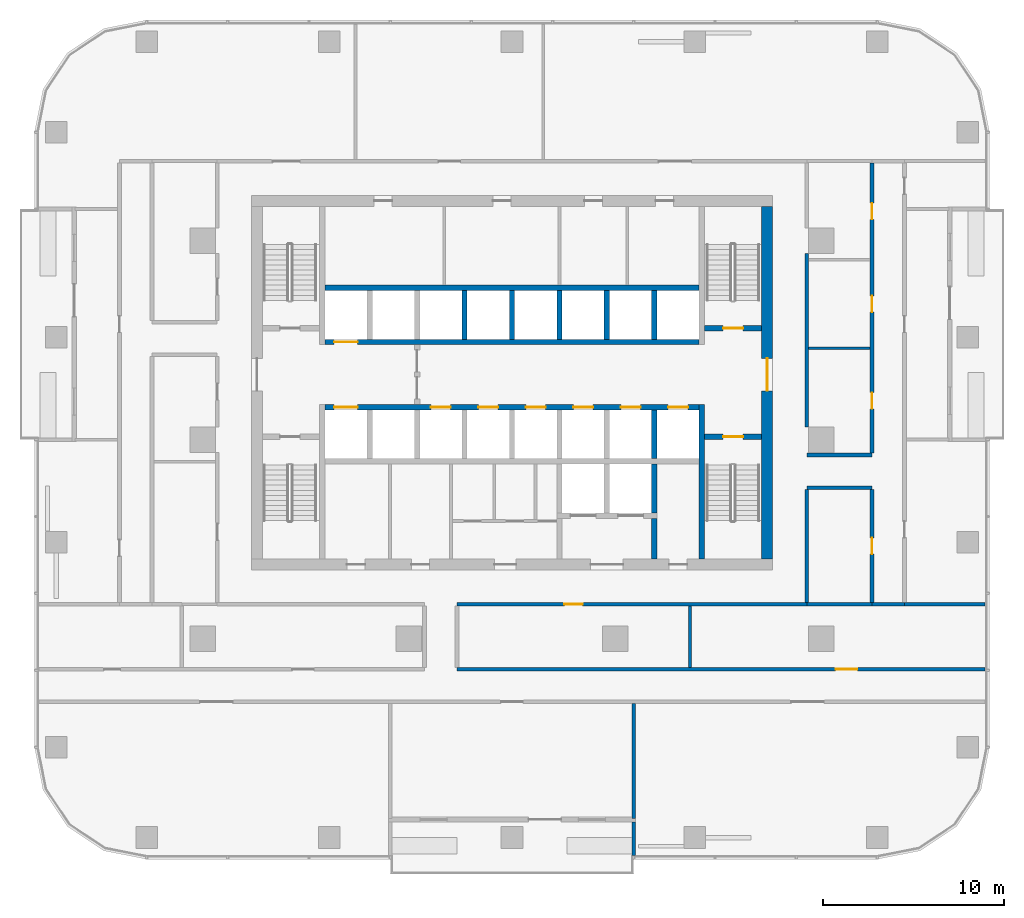
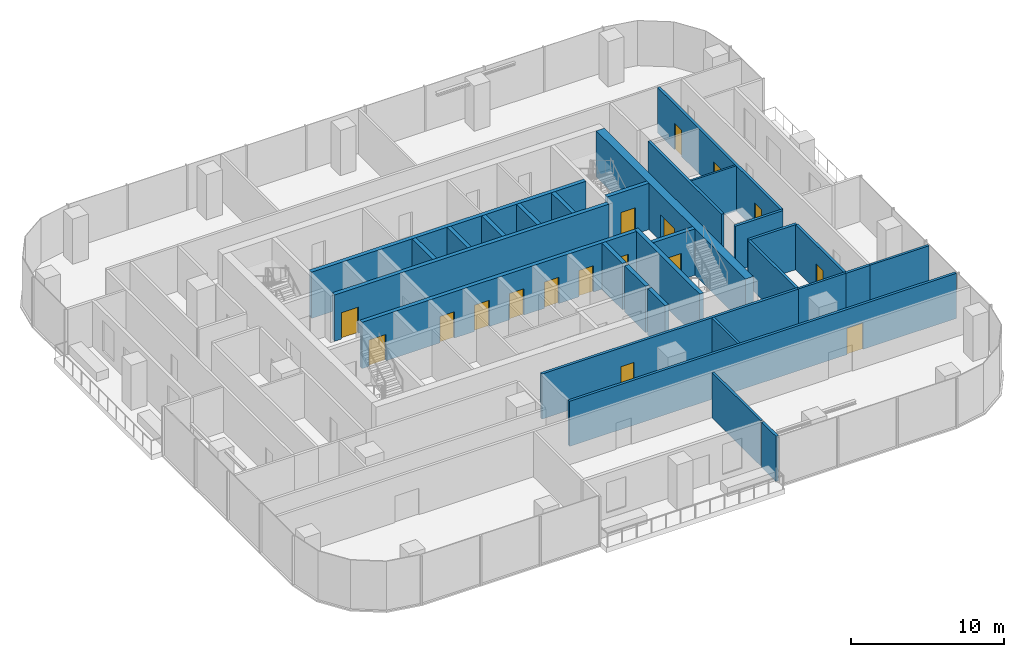
# One storey, part 9 of 15: 30 walls, 17 doors, 17 openings.
"""IFC4 building model written with IfcOpenShell, lengths in metres."""

from ifc_helpers import new_model, si_unit, direction, frame, frame_2d, origin, place, context, subcontext, project, spatial, rectangle, extrude, material, layer, layer_set, type_object, element, fill, save


model = new_model("IFC4")

# Units and contexts
model_context = context("Model", 3, precision=1e-05, world=origin(), true_north=direction((0.0, 1.0)))
body_context = subcontext(model_context, "Body", "Model", "MODEL_VIEW")
ifc_project = project(units=[si_unit("LENGTHUNIT", "METRE"), si_unit("AREAUNIT", "SQUARE_METRE"), si_unit("VOLUMEUNIT", "CUBIC_METRE"), si_unit("PLANEANGLEUNIT", "RADIAN"), si_unit("MASSUNIT", "GRAM", prefix="KILO")], contexts=[model_context])

# Site, building, storey
site_placement = place(None, origin())
site = spatial("IfcSite", under=ifc_project, at=site_placement, CompositionType="ELEMENT")
building_placement = place(site_placement, origin())
building = spatial("IfcBuilding", under=site, at=building_placement, Name="Mopane Tessera Tower", CompositionType="ELEMENT")
storey_placement = place(building_placement, frame((0.0, 0.0, 177.0)))
storey = spatial("IfcBuildingStorey", under=building, at=storey_placement, Name="L36", CompositionType="ELEMENT", Elevation=177.0)

# Wall, opening, door
ifc_material_1 = material(Name="Concrete C70/85", Category="concrete")
ifc_layer_1 = layer(ifc_material_1, 0.60009765625)
ifc_layer_set_1 = layer_set([ifc_layer_1], Name="Concrete C70/85")
wall_type_1 = type_object("IfcWallType", Name="Core shear wall 600 mm", PredefinedType="SHEAR", material=ifc_layer_set_1)
wall_1_placement = place(storey_placement, frame((14.10009765625, -6.60009765625, 0.0), z_axis=(0.0, 0.0, 1.0), x_axis=(0.0, 1.0, 0.0)))
wall_1 = element("IfcWall", 1, at=wall_1_placement, inside=storey, type_object=wall_type_1, Name="L36 Core wall east", PredefinedType="SHEAR", context=body_context, shape_type="SweptSolid", body=[
    extrude(rectangle(XDim=19.5, YDim=0.60009765625, at=frame_2d((9.75, 0.0))), origin(), (0.0, 0.0, 1.0), 3.699951171875),
])
opening_1_placement = place(wall_1_placement, frame((9.300048828125, 0.0, 0.0)))
opening_1 = element("IfcOpeningElement", 2, at=opening_1_placement, cuts=wall_1, Name="Opening SD2", PredefinedType="OPENING", context=body_context, shape_type="SweptSolid", body=[
    extrude(rectangle(XDim=1.800048828125, YDim=2.10009765625, at=frame_2d((0.89990234375, 1.050048828125))), frame((0.0, 0.31201171875, 0.0), z_axis=(0.0, -1.0, 0.0), x_axis=(1.0, 0.0, 0.0)), (0.0, 0.0, 1.0), 0.6240234375),
])
ifc_material_2 = material(Name="Steel fire door", Category="steel")
door_type_1 = type_object("IfcDoorType", Name="Core entrance double door 1800 x 2100", OperationType="DOUBLE_DOOR_SINGLE_SWING", PredefinedType="DOOR", material=ifc_material_2)
door_1_placement = place(opening_1_placement, origin())
door_1 = element("IfcDoor", 3, at=door_1_placement, inside=storey, type_object=door_type_1, Name="L36 Core entrance door east", OperationType="DOUBLE_DOOR_SINGLE_SWING", OverallHeight=2.10009765625, OverallWidth=1.800048828125, PredefinedType="DOOR", context=body_context, shape_type="SweptSolid", body=[
    extrude(rectangle(XDim=1.800048828125, YDim=2.10009765625, at=frame_2d((0.89990234375, 1.050048828125))), frame((0.0, 0.02490234375, 0.0), z_axis=(0.0, -1.0, 0.0), x_axis=(1.0, 0.0, 0.0)), (0.0, 0.0, 1.0), 0.050048828125),
])
fill(opening_1, door_1)

# Walls
ifc_material_3 = material(Name="Concrete C60/75", Category="concrete")
ifc_layer_2 = layer(ifc_material_3, 0.300048828125)
ifc_layer_set_2 = layer_set([ifc_layer_2], Name="Concrete C60/75")
wall_type_2 = type_object("IfcWallType", Name="Core spine wall 300 mm", PredefinedType="SHEAR", material=ifc_layer_set_2)
wall_2_placement = place(storey_placement, frame((10.5, -6.60009765625, 0.0), z_axis=(0.0, 0.0, 1.0), x_axis=(0.0, 1.0, 0.0)))
element("IfcWall", 4, at=wall_2_placement, inside=storey, type_object=wall_type_2, Name="L36 Core spine wall", PredefinedType="SHEAR", context=body_context, shape_type="SweptSolid", body=[
    extrude(rectangle(XDim=8.550048828125, YDim=0.300048828125, at=frame_2d((4.27490234375, 0.0))), origin(), (0.0, 0.0, 1.0), 3.699951171875),
])
ifc_material_4 = material(Name="Gypsum board on staggered steel studs, double layer each face, acoustic mineral wool infill", Category="steel")
ifc_layer_3 = layer(ifc_material_4, 0.175048828125)
ifc_layer_set_3 = layer_set([ifc_layer_3], Name="Gypsum board on staggered steel studs, double layer each face, acoustic mineral wool infill")
wall_type_3 = type_object("IfcWallType", Name="Gypsum board acoustic partition 175, rated EI 60", PredefinedType="PARTITIONING", material=ifc_layer_set_3)
wall_3_placement = place(storey_placement, frame((16.300048828125, -9.10009765625, 0.0), z_axis=(0.0, 0.0, 1.0), x_axis=(1.0, 0.0, 0.0)))
element("IfcWall", 5, at=wall_3_placement, inside=storey, type_object=wall_type_3, Name="Partition L36:006", PredefinedType="PARTITIONING", context=body_context, shape_type="SweptSolid", body=[
    extrude(rectangle(XDim=3.599853515625, YDim=0.175048828125, at=frame_2d((1.7998046875, 0.0))), origin(), (0.0, 0.0, 1.0), 3.60009765625),
])
wall_4_placement = place(storey_placement, frame((21.699951171875, -9.10009765625, 0.0), z_axis=(0.0, 0.0, 1.0), x_axis=(1.0, 0.0, 0.0)))
element("IfcWall", 6, at=wall_4_placement, inside=storey, type_object=wall_type_3, Name="Partition L36:007", PredefinedType="PARTITIONING", context=body_context, shape_type="SweptSolid", body=[
    extrude(rectangle(XDim=4.449951171875, YDim=0.175048828125, at=frame_2d((2.22509765625, 0.0))), origin(), (0.0, 0.0, 1.0), 3.60009765625),
])
wall_5_placement = place(storey_placement, frame((6.735107421875, -20.949951171875, 0.0), z_axis=(0.0, 0.0, 1.0), x_axis=(0.0, 1.0, 0.0)))
element("IfcWall", 7, at=wall_5_placement, inside=storey, type_object=wall_type_3, Name="Partition L36:042", PredefinedType="PARTITIONING", context=body_context, shape_type="SweptSolid", body=[
    extrude(rectangle(XDim=6.349853515625, YDim=0.175048828125, at=frame_2d((3.1748046875, 0.0))), origin(), (0.0, 0.0, 1.0), 3.60009765625),
])
wall_6_placement = place(storey_placement, frame((9.844970703125, -12.60009765625, 0.0), z_axis=(0.0, 0.0, 1.0), x_axis=(0.0, 1.0, 0.0)))
element("IfcWall", 8, at=wall_6_placement, inside=storey, type_object=wall_type_3, Name="Partition L36:043", PredefinedType="PARTITIONING", context=body_context, shape_type="SweptSolid", body=[
    extrude(rectangle(XDim=3.400146484375, YDim=0.175048828125, at=frame_2d((1.7001953125, 0.0))), origin(), (0.0, 0.0, 1.0), 3.60009765625),
])

# Wall, opening, door
ifc_material_5 = material(Name="Gypsum board on steel studs, two layers each face, mineral wool infill", Category="steel")
ifc_layer_4 = layer(ifc_material_5, 0.199951171875)
ifc_layer_set_4 = layer_set([ifc_layer_4], Name="Gypsum board on steel studs, two layers each face, mineral wool infill")
wall_type_4 = type_object("IfcWallType", Name="Gypsum board corridor wall 200, rated EI 60", PredefinedType="PARTITIONING", material=ifc_layer_set_4)
wall_7_placement = place(storey_placement, frame((-3.0400390625, -12.699951171875, 0.0), z_axis=(0.0, 0.0, 1.0), x_axis=(1.0, 0.0, 0.0)))
wall_7 = element("IfcWall", 9, at=wall_7_placement, inside=storey, type_object=wall_type_4, Name="Partition L36:002", PredefinedType="PARTITIONING", context=body_context, shape_type="SweptSolid", body=[
    extrude(rectangle(XDim=29.18994140625, YDim=0.199951171875, at=frame_2d((14.594970703125, 0.0))), origin(), (0.0, 0.0, 1.0), 3.60009765625),
])
opening_2_placement = place(wall_7_placement, frame((20.9375, 0.0, 0.0)))
opening_2 = element("IfcOpeningElement", 10, at=opening_2_placement, cuts=wall_7, Name="Opening L36-05", PredefinedType="OPENING", context=body_context, shape_type="SweptSolid", body=[
    extrude(rectangle(XDim=1.199951171875, YDim=2.10009765625, at=frame_2d((0.60009765625, 1.050048828125))), frame((0.0, 0.112060546875, 0.0), z_axis=(0.0, -1.0, 0.0), x_axis=(1.0, 0.0, 0.0)), (0.0, 0.0, 1.0), 0.223876953125),
])
ifc_material_6 = material(Name="Timber veneered steel-framed fire door", Category="steel")
door_type_2 = type_object("IfcDoorType", Name="Fire door FD60 1200 x 2100", OperationType="SINGLE_SWING_LEFT", PredefinedType="DOOR", material=ifc_material_6)
door_2_placement = place(opening_2_placement, origin())
door_2 = element("IfcDoor", 11, at=door_2_placement, inside=storey, type_object=door_type_2, Name="Door L36-05", ObjectType="D15A", OperationType="SINGLE_SWING_RIGHT", OverallHeight=2.10009765625, OverallWidth=1.199951171875, PredefinedType="DOOR", context=body_context, shape_type="SweptSolid", body=[
    extrude(rectangle(XDim=1.199951171875, YDim=2.10009765625, at=frame_2d((0.60009765625, 1.050048828125))), frame((0.0, 0.02490234375, 0.0), z_axis=(0.0, -1.0, 0.0), x_axis=(1.0, 0.0, 0.0)), (0.0, 0.0, 1.0), 0.050048828125),
])
fill(opening_2, door_2)

wall_8_placement = place(storey_placement, frame((-3.0400390625, -9.10009765625, 0.0), z_axis=(0.0, 0.0, 1.0), x_axis=(1.0, 0.0, 0.0)))
wall_8 = element("IfcWall", 12, at=wall_8_placement, inside=storey, type_object=wall_type_4, Name="Partition L36:010", PredefinedType="PARTITIONING", context=body_context, shape_type="SweptSolid", body=[
    extrude(rectangle(XDim=19.340087890625, YDim=0.199951171875, at=frame_2d((9.669921875, 0.0))), origin(), (0.0, 0.0, 1.0), 3.60009765625),
])
opening_3_placement = place(wall_8_placement, frame((5.9423828125, 0.0, 0.0)))
opening_3 = element("IfcOpeningElement", 13, at=opening_3_placement, cuts=wall_8, Name="Opening L36-12", PredefinedType="OPENING", context=body_context, shape_type="SweptSolid", body=[
    extrude(rectangle(XDim=1.0, YDim=2.10009765625, at=frame_2d((0.5, 1.050048828125))), frame((0.0, 0.112060546875, 0.0), z_axis=(0.0, -1.0, 0.0), x_axis=(1.0, 0.0, 0.0)), (0.0, 0.0, 1.0), 0.223876953125),
])
ifc_material_7 = material(Name="Timber veneered steel-framed fire door", Category="steel")
door_type_3 = type_object("IfcDoorType", Name="Fire door FD60 1000 x 2100", OperationType="SINGLE_SWING_LEFT", PredefinedType="DOOR", material=ifc_material_7)
door_3_placement = place(opening_3_placement, origin())
door_3 = element("IfcDoor", 14, at=door_3_placement, inside=storey, type_object=door_type_3, Name="Door L36-12", ObjectType="D12A", OperationType="SINGLE_SWING_RIGHT", OverallHeight=2.10009765625, OverallWidth=1.0, PredefinedType="DOOR", context=body_context, shape_type="SweptSolid", body=[
    extrude(rectangle(XDim=1.0, YDim=2.10009765625, at=frame_2d((0.5, 1.050048828125))), frame((0.0, 0.02490234375, 0.0), z_axis=(0.0, -1.0, 0.0), x_axis=(1.0, 0.0, 0.0)), (0.0, 0.0, 1.0), 0.050048828125),
])
fill(opening_3, door_3)

# Walls
wall_9_placement = place(storey_placement, frame((19.89990234375, -9.10009765625, 0.0), z_axis=(0.0, 0.0, 1.0), x_axis=(1.0, 0.0, 0.0)))
element("IfcWall", 15, at=wall_9_placement, inside=storey, type_object=wall_type_4, Name="Partition L36:011", PredefinedType="PARTITIONING", context=body_context, shape_type="SweptSolid", body=[
    extrude(rectangle(XDim=1.800048828125, YDim=0.199951171875, at=frame_2d((0.89990234375, 0.0))), origin(), (0.0, 0.0, 1.0), 3.60009765625),
])
for number, where, z_axis, x_axis, name in (
    (16, (16.300048828125, -2.64990234375, 0.0), (0.0, 0.0, 1.0), (1.0, 0.0, 0.0), "Partition L36:012"),
    (17, (16.300048828125, -0.85009765625, 0.0), (0.0, 0.0, 1.0), (1.0, 0.0, 0.0), "Partition L36:014"),
):
    element("IfcWall", number, at=place(storey_placement, frame(where, z_axis=z_axis, x_axis=x_axis)), inside=storey, type_object=wall_type_4, Name=name, PredefinedType="PARTITIONING", context=body_context, shape_type="SweptSolid", body=[
        extrude(rectangle(XDim=3.599853515625, YDim=0.199951171875, at=frame_2d((1.7998046875, 0.0))), origin(), (0.0, 0.0, 1.0), 3.60009765625),
    ])
wall_10_placement = place(storey_placement, frame((16.300048828125, -9.0, 0.0), z_axis=(0.0, 0.0, 1.0), x_axis=(0.0, 1.0, 0.0)))
element("IfcWall", 18, at=wall_10_placement, inside=storey, type_object=wall_type_4, Name="Partition L36:044", PredefinedType="PARTITIONING", context=body_context, shape_type="SweptSolid", body=[
    extrude(rectangle(XDim=6.25, YDim=0.199951171875, at=frame_2d((3.125, 0.0))), origin(), (0.0, 0.0, 1.0), 3.60009765625),
])
wall_11_placement = place(storey_placement, frame((16.300048828125, 0.699951171875, 0.0), z_axis=(0.0, 0.0, 1.0), x_axis=(0.0, 1.0, 0.0)))
element("IfcWall", 19, at=wall_11_placement, inside=storey, type_object=wall_type_4, Name="Partition L36:045", PredefinedType="PARTITIONING", context=body_context, shape_type="SweptSolid", body=[
    extrude(rectangle(XDim=9.60009765625, YDim=0.199951171875, at=frame_2d((4.800048828125, 0.0))), origin(), (0.0, 0.0, 1.0), 3.60009765625),
])

# Wall, opening, door
wall_12_placement = place(storey_placement, frame((19.89990234375, -9.0, 0.0), z_axis=(0.0, 0.0, 1.0), x_axis=(0.0, 1.0, 0.0)))
wall_12 = element("IfcWall", 20, at=wall_12_placement, inside=storey, type_object=wall_type_4, Name="Partition L36:047", PredefinedType="PARTITIONING", context=body_context, shape_type="SweptSolid", body=[
    extrude(rectangle(XDim=6.25, YDim=0.199951171875, at=frame_2d((3.125, 0.0))), origin(), (0.0, 0.0, 1.0), 3.60009765625),
])
opening_4_placement = place(wall_12_placement, frame((2.675048828125, 0.0, 0.0)))
opening_4 = element("IfcOpeningElement", 21, at=opening_4_placement, cuts=wall_12, Name="Opening L36-17", PredefinedType="OPENING", context=body_context, shape_type="SweptSolid", body=[
    extrude(rectangle(XDim=0.89990234375, YDim=2.10009765625, at=frame_2d((0.449951171875, 1.050048828125))), frame((0.0, 0.112060546875, 0.0), z_axis=(0.0, -1.0, 0.0), x_axis=(1.0, 0.0, 0.0)), (0.0, 0.0, 1.0), 0.223876953125),
])
ifc_material_8 = material(Name="Timber veneered steel-framed fire door", Category="steel")
door_type_4 = type_object("IfcDoorType", Name="Fire door FD60 900 x 2100", OperationType="SINGLE_SWING_LEFT", PredefinedType="DOOR", material=ifc_material_8)
door_4_placement = place(opening_4_placement, origin())
door_4 = element("IfcDoor", 22, at=door_4_placement, inside=storey, type_object=door_type_4, Name="Door L36-17", ObjectType="D10A", OperationType="SINGLE_SWING_RIGHT", OverallHeight=2.10009765625, OverallWidth=0.89990234375, PredefinedType="DOOR", context=body_context, shape_type="SweptSolid", body=[
    extrude(rectangle(XDim=0.89990234375, YDim=2.10009765625, at=frame_2d((0.449951171875, 1.050048828125))), frame((0.0, 0.02490234375, 0.0), z_axis=(0.0, -1.0, 0.0), x_axis=(1.0, 0.0, 0.0)), (0.0, 0.0, 1.0), 0.050048828125),
])
fill(opening_4, door_4)

# Wall, openings, doors
wall_13_placement = place(storey_placement, frame((19.89990234375, -0.75, 0.0), z_axis=(0.0, 0.0, 1.0), x_axis=(0.0, 1.0, 0.0)))
wall_13 = element("IfcWall", 23, at=wall_13_placement, inside=storey, type_object=wall_type_4, Name="Partition L36:048", PredefinedType="PARTITIONING", context=body_context, shape_type="SweptSolid", body=[
    extrude(rectangle(XDim=16.050048828125, YDim=0.199951171875, at=frame_2d((8.02490234375, 0.0))), origin(), (0.0, 0.0, 1.0), 3.60009765625),
])
opening_5_placement = place(wall_13_placement, frame((2.455078125, 0.0, 0.0)))
opening_5 = element("IfcOpeningElement", 24, at=opening_5_placement, cuts=wall_13, Name="Opening L36-06", PredefinedType="OPENING", context=body_context, shape_type="SweptSolid", body=[
    extrude(rectangle(XDim=0.89990234375, YDim=2.10009765625, at=frame_2d((0.449951171875, 1.050048828125))), frame((0.0, 0.112060546875, 0.0), z_axis=(0.0, -1.0, 0.0), x_axis=(1.0, 0.0, 0.0)), (0.0, 0.0, 1.0), 0.223876953125),
])
opening_6_placement = place(wall_13_placement, frame((7.802490234375, 0.0, 0.0)))
opening_6 = element("IfcOpeningElement", 25, at=opening_6_placement, cuts=wall_13, Name="Opening L36-11", PredefinedType="OPENING", context=body_context, shape_type="SweptSolid", body=[
    extrude(rectangle(XDim=0.89990234375, YDim=2.10009765625, at=frame_2d((0.449951171875, 1.050048828125))), frame((0.0, 0.112060546875, 0.0), z_axis=(0.0, -1.0, 0.0), x_axis=(1.0, 0.0, 0.0)), (0.0, 0.0, 1.0), 0.223876953125),
])
opening_7_placement = place(wall_13_placement, frame((12.922607421875, 0.0, 0.0)))
opening_7 = element("IfcOpeningElement", 26, at=opening_7_placement, cuts=wall_13, Name="Opening L36-18", PredefinedType="OPENING", context=body_context, shape_type="SweptSolid", body=[
    extrude(rectangle(XDim=0.89990234375, YDim=2.10009765625, at=frame_2d((0.449951171875, 1.050048828125))), frame((0.0, 0.112060546875, 0.0), z_axis=(0.0, -1.0, 0.0), x_axis=(1.0, 0.0, 0.0)), (0.0, 0.0, 1.0), 0.223876953125),
])
door_5_placement = place(opening_5_placement, origin())
door_5 = element("IfcDoor", 27, at=door_5_placement, inside=storey, type_object=door_type_4, Name="Door L36-06", ObjectType="D10A", OperationType="SINGLE_SWING_LEFT", OverallHeight=2.10009765625, OverallWidth=0.89990234375, PredefinedType="DOOR", context=body_context, shape_type="SweptSolid", body=[
    extrude(rectangle(XDim=0.89990234375, YDim=2.10009765625, at=frame_2d((0.449951171875, 1.050048828125))), frame((0.0, 0.02490234375, 0.0), z_axis=(0.0, -1.0, 0.0), x_axis=(1.0, 0.0, 0.0)), (0.0, 0.0, 1.0), 0.050048828125),
])
fill(opening_5, door_5)
door_6_placement = place(opening_6_placement, origin())
door_6 = element("IfcDoor", 28, at=door_6_placement, inside=storey, type_object=door_type_4, Name="Door L36-11", ObjectType="D10A", OperationType="SINGLE_SWING_RIGHT", OverallHeight=2.10009765625, OverallWidth=0.89990234375, PredefinedType="DOOR", context=body_context, shape_type="SweptSolid", body=[
    extrude(rectangle(XDim=0.89990234375, YDim=2.10009765625, at=frame_2d((0.449951171875, 1.050048828125))), frame((0.0, 0.02490234375, 0.0), z_axis=(0.0, -1.0, 0.0), x_axis=(1.0, 0.0, 0.0)), (0.0, 0.0, 1.0), 0.050048828125),
])
fill(opening_6, door_6)
door_7_placement = place(opening_7_placement, origin())
door_7 = element("IfcDoor", 29, at=door_7_placement, inside=storey, type_object=door_type_4, Name="Door L36-18", ObjectType="D10A", OperationType="SINGLE_SWING_LEFT", OverallHeight=2.10009765625, OverallWidth=0.89990234375, PredefinedType="DOOR", context=body_context, shape_type="SweptSolid", body=[
    extrude(rectangle(XDim=0.89990234375, YDim=2.10009765625, at=frame_2d((0.449951171875, 1.050048828125))), frame((0.0, 0.02490234375, 0.0), z_axis=(0.0, -1.0, 0.0), x_axis=(1.0, 0.0, 0.0)), (0.0, 0.0, 1.0), 0.050048828125),
])
fill(opening_7, door_7)

# Wall
ifc_material_9 = material(Name="Gypsum board on steel studs, mineral wool infill", Category="steel")
ifc_layer_5 = layer(ifc_material_9, 0.14990234375)
ifc_layer_set_5 = layer_set([ifc_layer_5], Name="Gypsum board on steel studs, mineral wool infill")
wall_type_5 = type_object("IfcWallType", Name="Gypsum board partition 150, rated EI 60", PredefinedType="PARTITIONING", material=ifc_layer_set_5)
wall_14_placement = place(storey_placement, frame((16.39990234375, 5.06005859375, 0.0), z_axis=(0.0, 0.0, 1.0), x_axis=(1.0, 0.0, 0.0)))
element("IfcWall", 30, at=wall_14_placement, inside=storey, type_object=wall_type_5, Name="Partition L36:018", PredefinedType="PARTITIONING", context=body_context, shape_type="SweptSolid", body=[
    extrude(rectangle(XDim=3.400146484375, YDim=0.14990234375, at=frame_2d((1.7001953125, 0.0))), origin(), (0.0, 0.0, 1.0), 3.60009765625),
])

# Wall, opening, door
ifc_material_10 = material(Name="Concrete C50/60", Category="concrete")
ifc_layer_6 = layer(ifc_material_10, 0.300048828125)
ifc_layer_set_6 = layer_set([ifc_layer_6], Name="Concrete C50/60")
wall_type_6 = type_object("IfcWallType", Name="Lift and stair shaft wall 300 mm", PredefinedType="SOLIDWALL", material=ifc_layer_set_6)
wall_15_placement = place(storey_placement, frame((10.64990234375, 0.14990234375, 0.0), z_axis=(0.0, 0.0, 1.0), x_axis=(1.0, 0.0, 0.0)))
wall_15 = element("IfcWall", 31, at=wall_15_placement, inside=storey, type_object=wall_type_6, Name="L36 Stair enclosure wall", PredefinedType="SOLIDWALL", context=body_context, shape_type="SweptSolid", body=[
    extrude(rectangle(XDim=3.150146484375, YDim=0.300048828125, at=frame_2d((1.5751953125, 0.0))), origin(), (0.0, 0.0, 1.0), 3.699951171875),
])
opening_8_placement = place(wall_15_placement, frame((1.02490234375, 0.0, 0.0)))
opening_8 = element("IfcOpeningElement", 32, at=opening_8_placement, cuts=wall_15, Name="Opening SD1", PredefinedType="OPENING", context=body_context, shape_type="SweptSolid", body=[
    extrude(rectangle(XDim=1.10009765625, YDim=2.10009765625, at=frame_2d((0.550048828125, 1.050048828125))), frame((0.0, 0.162109375, 0.0), z_axis=(0.0, -1.0, 0.0), x_axis=(1.0, 0.0, 0.0)), (0.0, 0.0, 1.0), 0.323974609375),
])
ifc_material_11 = material(Name="Steel fire door", Category="steel")
door_type_5 = type_object("IfcDoorType", Name="Stair fire door 1100 x 2100", OperationType="SINGLE_SWING_LEFT", PredefinedType="DOOR", material=ifc_material_11)
door_8_placement = place(opening_8_placement, origin())
door_8 = element("IfcDoor", 33, at=door_8_placement, inside=storey, type_object=door_type_5, Name="L36 Stair door ST3", OperationType="SINGLE_SWING_RIGHT", OverallHeight=2.10009765625, OverallWidth=1.10009765625, PredefinedType="DOOR", context=body_context, shape_type="SweptSolid", body=[
    extrude(rectangle(XDim=1.10009765625, YDim=2.10009765625, at=frame_2d((0.550048828125, 1.050048828125))), frame((0.0, 0.02490234375, 0.0), z_axis=(0.0, -1.0, 0.0), x_axis=(1.0, 0.0, 0.0)), (0.0, 0.0, 1.0), 0.050048828125),
])
fill(opening_8, door_8)

wall_16_placement = place(storey_placement, frame((10.64990234375, 6.14990234375, 0.0), z_axis=(0.0, 0.0, 1.0), x_axis=(1.0, 0.0, 0.0)))
wall_16 = element("IfcWall", 34, at=wall_16_placement, inside=storey, type_object=wall_type_6, Name="L36 Stair enclosure wall", PredefinedType="SOLIDWALL", context=body_context, shape_type="SweptSolid", body=[
    extrude(rectangle(XDim=3.150146484375, YDim=0.300048828125, at=frame_2d((1.5751953125, 0.0))), origin(), (0.0, 0.0, 1.0), 3.699951171875),
])
opening_9_placement = place(wall_16_placement, frame((1.02490234375, 0.0, 0.0)))
opening_9 = element("IfcOpeningElement", 35, at=opening_9_placement, cuts=wall_16, Name="Opening SD1", PredefinedType="OPENING", context=body_context, shape_type="SweptSolid", body=[
    extrude(rectangle(XDim=1.10009765625, YDim=2.10009765625, at=frame_2d((0.550048828125, 1.050048828125))), frame((0.0, 0.162109375, 0.0), z_axis=(0.0, -1.0, 0.0), x_axis=(1.0, 0.0, 0.0)), (0.0, 0.0, 1.0), 0.323974609375),
])
door_9_placement = place(opening_9_placement, origin())
door_9 = element("IfcDoor", 36, at=door_9_placement, inside=storey, type_object=door_type_5, Name="L36 Stair door ST4", OperationType="SINGLE_SWING_RIGHT", OverallHeight=2.10009765625, OverallWidth=1.10009765625, PredefinedType="DOOR", context=body_context, shape_type="SweptSolid", body=[
    extrude(rectangle(XDim=1.10009765625, YDim=2.10009765625, at=frame_2d((0.550048828125, 1.050048828125))), frame((0.0, 0.02490234375, 0.0), z_axis=(0.0, -1.0, 0.0), x_axis=(1.0, 0.0, 0.0)), (0.0, 0.0, 1.0), 0.050048828125),
])
fill(opening_9, door_9)

# Wall, openings, doors
wall_17_placement = place(storey_placement, frame((-10.35009765625, 1.800048828125, 0.0), z_axis=(0.0, 0.0, 1.0), x_axis=(1.0, 0.0, 0.0)))
wall_17 = element("IfcWall", 37, at=wall_17_placement, inside=storey, type_object=wall_type_6, Name="L36 Lift shaft front wall", PredefinedType="SOLIDWALL", context=body_context, shape_type="SweptSolid", body=[
    extrude(rectangle(XDim=20.7001953125, YDim=0.300048828125, at=frame_2d((10.35009765625, 0.0))), origin(), (0.0, 0.0, 1.0), 3.699951171875),
])
opening_10_placement = place(wall_17_placement, frame((0.512451171875, 0.0, 0.0)))
opening_10 = element("IfcOpeningElement", 38, at=opening_10_placement, cuts=wall_17, Name="Opening LD2", PredefinedType="OPENING", context=body_context, shape_type="SweptSolid", body=[
    extrude(rectangle(XDim=1.300048828125, YDim=2.10009765625, at=frame_2d((0.64990234375, 1.050048828125))), frame((0.0, 0.162109375, 0.0), z_axis=(0.0, -1.0, 0.0), x_axis=(1.0, 0.0, 0.0)), (0.0, 0.0, 1.0), 0.323974609375),
])
opening_11_placement = place(wall_17_placement, frame((5.862548828125, 0.0, 0.0)))
opening_11 = element("IfcOpeningElement", 39, at=opening_11_placement, cuts=wall_17, Name="Opening LD", PredefinedType="OPENING", context=body_context, shape_type="SweptSolid", body=[
    extrude(rectangle(XDim=1.10009765625, YDim=2.10009765625, at=frame_2d((0.550048828125, 1.050048828125))), frame((0.0, 0.162109375, 0.0), z_axis=(0.0, -1.0, 0.0), x_axis=(1.0, 0.0, 0.0)), (0.0, 0.0, 1.0), 0.323974609375),
])
opening_12_placement = place(wall_17_placement, frame((8.487548828125, 0.0, 0.0)))
opening_12 = element("IfcOpeningElement", 40, at=opening_12_placement, cuts=wall_17, Name="Opening LD", PredefinedType="OPENING", context=body_context, shape_type="SweptSolid", body=[
    extrude(rectangle(XDim=1.10009765625, YDim=2.10009765625, at=frame_2d((0.550048828125, 1.050048828125))), frame((0.0, 0.162109375, 0.0), z_axis=(0.0, -1.0, 0.0), x_axis=(1.0, 0.0, 0.0)), (0.0, 0.0, 1.0), 0.323974609375),
])
opening_13_placement = place(wall_17_placement, frame((11.112548828125, 0.0, 0.0)))
opening_13 = element("IfcOpeningElement", 41, at=opening_13_placement, cuts=wall_17, Name="Opening LD", PredefinedType="OPENING", context=body_context, shape_type="SweptSolid", body=[
    extrude(rectangle(XDim=1.10009765625, YDim=2.10009765625, at=frame_2d((0.550048828125, 1.050048828125))), frame((0.0, 0.162109375, 0.0), z_axis=(0.0, -1.0, 0.0), x_axis=(1.0, 0.0, 0.0)), (0.0, 0.0, 1.0), 0.323974609375),
])
opening_14_placement = place(wall_17_placement, frame((13.737548828125, 0.0, 0.0)))
opening_14 = element("IfcOpeningElement", 42, at=opening_14_placement, cuts=wall_17, Name="Opening LD", PredefinedType="OPENING", context=body_context, shape_type="SweptSolid", body=[
    extrude(rectangle(XDim=1.10009765625, YDim=2.10009765625, at=frame_2d((0.550048828125, 1.050048828125))), frame((0.0, 0.162109375, 0.0), z_axis=(0.0, -1.0, 0.0), x_axis=(1.0, 0.0, 0.0)), (0.0, 0.0, 1.0), 0.323974609375),
])
opening_15_placement = place(wall_17_placement, frame((16.362548828125, 0.0, 0.0)))
opening_15 = element("IfcOpeningElement", 43, at=opening_15_placement, cuts=wall_17, Name="Opening LD", PredefinedType="OPENING", context=body_context, shape_type="SweptSolid", body=[
    extrude(rectangle(XDim=1.10009765625, YDim=2.10009765625, at=frame_2d((0.550048828125, 1.050048828125))), frame((0.0, 0.162109375, 0.0), z_axis=(0.0, -1.0, 0.0), x_axis=(1.0, 0.0, 0.0)), (0.0, 0.0, 1.0), 0.323974609375),
])
opening_16_placement = place(wall_17_placement, frame((18.987548828125, 0.0, 0.0)))
opening_16 = element("IfcOpeningElement", 44, at=opening_16_placement, cuts=wall_17, Name="Opening LD", PredefinedType="OPENING", context=body_context, shape_type="SweptSolid", body=[
    extrude(rectangle(XDim=1.10009765625, YDim=2.10009765625, at=frame_2d((0.550048828125, 1.050048828125))), frame((0.0, 0.162109375, 0.0), z_axis=(0.0, -1.0, 0.0), x_axis=(1.0, 0.0, 0.0)), (0.0, 0.0, 1.0), 0.323974609375),
])
ifc_material_12 = material(Name="Stainless steel sliding door", Category="steel")
door_type_6 = type_object("IfcDoorType", Name="Fire-fighting lift landing door 1300 x 2100", OperationType="DOUBLE_DOOR_SLIDING", PredefinedType="DOOR", material=ifc_material_12)
door_10_placement = place(opening_10_placement, origin())
door_10 = element("IfcDoor", 45, at=door_10_placement, inside=storey, type_object=door_type_6, Name="L36 Lift landing door FF1", OperationType="DOUBLE_DOOR_SLIDING", OverallHeight=2.10009765625, OverallWidth=1.300048828125, PredefinedType="DOOR", context=body_context, shape_type="SweptSolid", body=[
    extrude(rectangle(XDim=1.300048828125, YDim=2.10009765625, at=frame_2d((0.64990234375, 1.050048828125))), frame((0.0, 0.02490234375, 0.0), z_axis=(0.0, -1.0, 0.0), x_axis=(1.0, 0.0, 0.0)), (0.0, 0.0, 1.0), 0.050048828125),
])
fill(opening_10, door_10)
ifc_material_13 = material(Name="Stainless steel sliding door", Category="steel")
door_type_7 = type_object("IfcDoorType", Name="Lift landing door 1100 x 2100", OperationType="DOUBLE_DOOR_SLIDING", PredefinedType="DOOR", material=ifc_material_13)
door_11_placement = place(opening_11_placement, origin())
door_11 = element("IfcDoor", 46, at=door_11_placement, inside=storey, type_object=door_type_7, Name="L36 Lift landing door LR1", OperationType="DOUBLE_DOOR_SLIDING", OverallHeight=2.10009765625, OverallWidth=1.10009765625, PredefinedType="DOOR", context=body_context, shape_type="SweptSolid", body=[
    extrude(rectangle(XDim=1.10009765625, YDim=2.10009765625, at=frame_2d((0.550048828125, 1.050048828125))), frame((0.0, 0.02490234375, 0.0), z_axis=(0.0, -1.0, 0.0), x_axis=(1.0, 0.0, 0.0)), (0.0, 0.0, 1.0), 0.050048828125),
])
fill(opening_11, door_11)
door_12_placement = place(opening_12_placement, origin())
door_12 = element("IfcDoor", 47, at=door_12_placement, inside=storey, type_object=door_type_7, Name="L36 Lift landing door LR2", OperationType="DOUBLE_DOOR_SLIDING", OverallHeight=2.10009765625, OverallWidth=1.10009765625, PredefinedType="DOOR", context=body_context, shape_type="SweptSolid", body=[
    extrude(rectangle(XDim=1.10009765625, YDim=2.10009765625, at=frame_2d((0.550048828125, 1.050048828125))), frame((0.0, 0.02490234375, 0.0), z_axis=(0.0, -1.0, 0.0), x_axis=(1.0, 0.0, 0.0)), (0.0, 0.0, 1.0), 0.050048828125),
])
fill(opening_12, door_12)
door_13_placement = place(opening_13_placement, origin())
door_13 = element("IfcDoor", 48, at=door_13_placement, inside=storey, type_object=door_type_7, Name="L36 Lift landing door LR3", OperationType="DOUBLE_DOOR_SLIDING", OverallHeight=2.10009765625, OverallWidth=1.10009765625, PredefinedType="DOOR", context=body_context, shape_type="SweptSolid", body=[
    extrude(rectangle(XDim=1.10009765625, YDim=2.10009765625, at=frame_2d((0.550048828125, 1.050048828125))), frame((0.0, 0.02490234375, 0.0), z_axis=(0.0, -1.0, 0.0), x_axis=(1.0, 0.0, 0.0)), (0.0, 0.0, 1.0), 0.050048828125),
])
fill(opening_13, door_13)
door_14_placement = place(opening_14_placement, origin())
door_14 = element("IfcDoor", 49, at=door_14_placement, inside=storey, type_object=door_type_7, Name="L36 Lift landing door LR4", OperationType="DOUBLE_DOOR_SLIDING", OverallHeight=2.10009765625, OverallWidth=1.10009765625, PredefinedType="DOOR", context=body_context, shape_type="SweptSolid", body=[
    extrude(rectangle(XDim=1.10009765625, YDim=2.10009765625, at=frame_2d((0.550048828125, 1.050048828125))), frame((0.0, 0.02490234375, 0.0), z_axis=(0.0, -1.0, 0.0), x_axis=(1.0, 0.0, 0.0)), (0.0, 0.0, 1.0), 0.050048828125),
])
fill(opening_14, door_14)
door_15_placement = place(opening_15_placement, origin())
door_15 = element("IfcDoor", 50, at=door_15_placement, inside=storey, type_object=door_type_7, Name="L36 Lift landing door LR5", OperationType="DOUBLE_DOOR_SLIDING", OverallHeight=2.10009765625, OverallWidth=1.10009765625, PredefinedType="DOOR", context=body_context, shape_type="SweptSolid", body=[
    extrude(rectangle(XDim=1.10009765625, YDim=2.10009765625, at=frame_2d((0.550048828125, 1.050048828125))), frame((0.0, 0.02490234375, 0.0), z_axis=(0.0, -1.0, 0.0), x_axis=(1.0, 0.0, 0.0)), (0.0, 0.0, 1.0), 0.050048828125),
])
fill(opening_15, door_15)
door_16_placement = place(opening_16_placement, origin())
door_16 = element("IfcDoor", 51, at=door_16_placement, inside=storey, type_object=door_type_7, Name="L36 Lift landing door LR6", OperationType="DOUBLE_DOOR_SLIDING", OverallHeight=2.10009765625, OverallWidth=1.10009765625, PredefinedType="DOOR", context=body_context, shape_type="SweptSolid", body=[
    extrude(rectangle(XDim=1.10009765625, YDim=2.10009765625, at=frame_2d((0.550048828125, 1.050048828125))), frame((0.0, 0.02490234375, 0.0), z_axis=(0.0, -1.0, 0.0), x_axis=(1.0, 0.0, 0.0)), (0.0, 0.0, 1.0), 0.050048828125),
])
fill(opening_16, door_16)

# Wall, opening, door
wall_18_placement = place(storey_placement, frame((-10.35009765625, 5.39990234375, 0.0), z_axis=(0.0, 0.0, 1.0), x_axis=(1.0, 0.0, 0.0)))
wall_18 = element("IfcWall", 52, at=wall_18_placement, inside=storey, type_object=wall_type_6, Name="L36 Lift shaft front wall", PredefinedType="SOLIDWALL", context=body_context, shape_type="SweptSolid", body=[
    extrude(rectangle(XDim=20.7001953125, YDim=0.300048828125, at=frame_2d((10.35009765625, 0.0))), origin(), (0.0, 0.0, 1.0), 3.699951171875),
])
opening_17_placement = place(wall_18_placement, frame((0.512451171875, 0.0, 0.0)))
opening_17 = element("IfcOpeningElement", 53, at=opening_17_placement, cuts=wall_18, Name="Opening LD2", PredefinedType="OPENING", context=body_context, shape_type="SweptSolid", body=[
    extrude(rectangle(XDim=1.300048828125, YDim=2.10009765625, at=frame_2d((0.64990234375, 1.050048828125))), frame((0.0, 0.162109375, 0.0), z_axis=(0.0, -1.0, 0.0), x_axis=(1.0, 0.0, 0.0)), (0.0, 0.0, 1.0), 0.323974609375),
])
door_17_placement = place(opening_17_placement, origin())
door_17 = element("IfcDoor", 54, at=door_17_placement, inside=storey, type_object=door_type_6, Name="L36 Lift landing door FF2", OperationType="DOUBLE_DOOR_SLIDING", OverallHeight=2.10009765625, OverallWidth=1.300048828125, PredefinedType="DOOR", context=body_context, shape_type="SweptSolid", body=[
    extrude(rectangle(XDim=1.300048828125, YDim=2.10009765625, at=frame_2d((0.64990234375, 1.050048828125))), frame((0.0, 0.02490234375, 0.0), z_axis=(0.0, -1.0, 0.0), x_axis=(1.0, 0.0, 0.0)), (0.0, 0.0, 1.0), 0.050048828125),
])
fill(opening_17, door_17)

# Walls
wall_19_placement = place(storey_placement, frame((-10.35009765625, 8.39990234375, 0.0), z_axis=(0.0, 0.0, 1.0), x_axis=(1.0, 0.0, 0.0)))
element("IfcWall", 55, at=wall_19_placement, inside=storey, type_object=wall_type_6, Name="L36 Lift shaft rear wall", PredefinedType="SOLIDWALL", context=body_context, shape_type="SweptSolid", body=[
    extrude(rectangle(XDim=20.7001953125, YDim=0.300048828125, at=frame_2d((10.35009765625, 0.0))), origin(), (0.0, 0.0, 1.0), 3.699951171875),
])
for number, where, z_axis, x_axis, name in (
    (56, (7.875, -1.050048828125, 0.0), (0.0, 0.0, 1.0), (0.0, 1.0, 0.0), "L36 Lift shaft wall"),
    (57, (-2.625, 5.550048828125, 0.0), (0.0, 0.0, 1.0), (0.0, 1.0, 0.0), "L36 Lift shaft wall"),
    (58, (0.0, 5.550048828125, 0.0), (0.0, 0.0, 1.0), (0.0, 1.0, 0.0), "L36 Lift shaft wall"),
    (59, (2.625, 5.550048828125, 0.0), (0.0, 0.0, 1.0), (0.0, 1.0, 0.0), "L36 Lift shaft wall"),
    (60, (5.25, 5.550048828125, 0.0), (0.0, 0.0, 1.0), (0.0, 1.0, 0.0), "L36 Lift shaft wall"),
    (61, (7.875, 5.550048828125, 0.0), (0.0, 0.0, 1.0), (0.0, 1.0, 0.0), "L36 Lift shaft wall"),
    (62, (7.875, -4.050048828125, 0.0), (0.0, 0.0, 1.0), (0.0, 1.0, 0.0), "L36 Lift shaft wall"),
):
    element("IfcWall", number, at=place(storey_placement, frame(where, z_axis=z_axis, x_axis=x_axis)), inside=storey, type_object=wall_type_6, Name=name, PredefinedType="SOLIDWALL", context=body_context, shape_type="SweptSolid", body=[
        extrude(rectangle(XDim=2.699951171875, YDim=0.300048828125, at=frame_2d((1.35009765625, 0.0))), origin(), (0.0, 0.0, 1.0), 3.699951171875),
    ])
ifc_material_14 = material(Name="Concrete C50/60", Category="concrete")
ifc_layer_7 = layer(ifc_material_14, 0.300048828125)
ifc_layer_set_7 = layer_set([ifc_layer_7], Name="Concrete C50/60")
wall_type_7 = type_object("IfcWallType", Name="Lobby and refuge room wall 300 mm", PredefinedType="SOLIDWALL", material=ifc_layer_set_7)
wall_20_placement = place(storey_placement, frame((7.875, -6.60009765625, 0.0), z_axis=(0.0, 0.0, 1.0), x_axis=(0.0, 1.0, 0.0)))
element("IfcWall", 63, at=wall_20_placement, inside=storey, type_object=wall_type_7, Name="L36 Service lobby wall", PredefinedType="SOLIDWALL", context=body_context, shape_type="SweptSolid", body=[
    extrude(rectangle(XDim=2.25, YDim=0.300048828125, at=frame_2d((1.125, 0.0))), origin(), (0.0, 0.0, 1.0), 3.699951171875),
])
ifc_material_15 = material(Name="Blockwork with glazed tile facing", Category="masonry")
ifc_layer_8 = layer(ifc_material_15, 0.199951171875)
ifc_layer_set_8 = layer_set([ifc_layer_8], Name="Blockwork with glazed tile facing")
wall_type_8 = type_object("IfcWallType", Name="Terrace cheek wall 200", PredefinedType="STANDARD", material=ifc_layer_set_8)
wall_21_placement = place(storey_placement, frame((6.7333984375, -23.0, 0.0), z_axis=(0.0, 0.0, 1.0), x_axis=(0.0, 1.0, 0.0)))
element("IfcWall", 64, at=wall_21_placement, inside=storey, type_object=wall_type_8, Name="e:nw:L36:N2:cheekb", PredefinedType="STANDARD", context=body_context, shape_type="SweptSolid", body=[
    extrude(rectangle(XDim=1.875, YDim=0.199951171875, at=frame_2d((0.9375, 0.0))), origin(), (0.0, 0.0, 1.0), 3.60009765625),
])

save(model, "model.ifc")
